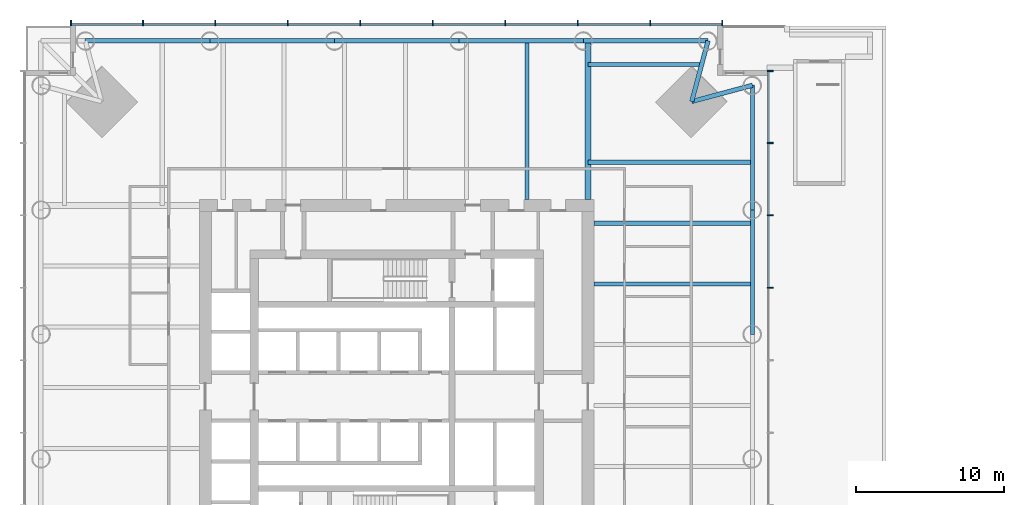
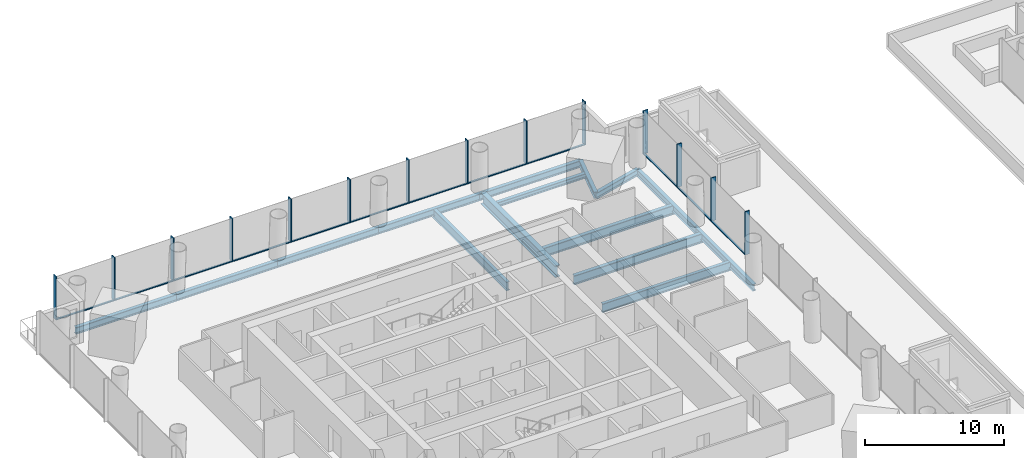
# One storey, part 4 of 19: 26 members, 15 beams, 2 elements without a shape of their own.
"""IFC4 building model written with IfcOpenShell, lengths in metres."""

from ifc_helpers import new_model, si_unit, direction, frame, origin, origin_2d, place, context, subcontext, project, spatial, rectangle, i_section, extrude, material, material_profile, profile_set, type_object, element, aggregate, save


model = new_model("IFC4")

# Units and contexts
model_context = context("Model", 3, precision=1e-05, world=origin(), true_north=direction((0.0, 1.0)))
body_context = subcontext(model_context, "Body", "Model", "MODEL_VIEW")
ifc_project = project(units=[si_unit("LENGTHUNIT", "METRE"), si_unit("AREAUNIT", "SQUARE_METRE"), si_unit("VOLUMEUNIT", "CUBIC_METRE"), si_unit("PLANEANGLEUNIT", "RADIAN"), si_unit("MASSUNIT", "GRAM", prefix="KILO")], contexts=[model_context])

# Site, building, storey
site_placement = place(None, origin())
site = spatial("IfcSite", under=ifc_project, at=site_placement, CompositionType="ELEMENT")
building_placement = place(site_placement, origin())
building = spatial("IfcBuilding", under=site, at=building_placement, Name="Ostroluk Exchange", CompositionType="ELEMENT")
storey_placement = place(building_placement, frame((0.0, 0.0, 21.0)))
storey = spatial("IfcBuildingStorey", under=building, at=storey_placement, Name="L04", CompositionType="ELEMENT", Elevation=21.0)

# Beams
ifc_material_1 = material(Name="Steel S355", Category="steel")
ifc_material_profile_1 = material_profile(ifc_material_1, i_section(OverallWidth=0.300048828125, OverallDepth=0.550048828125, WebThickness=0.014892578125, FlangeThickness=0.029052734375, FilletRadius=0.027099609375, at=origin_2d()), Name="HEB 550")
ifc_profile_set_1 = profile_set([ifc_material_profile_1], Name="Steel S355")
beam_type_1 = type_object("IfcBeamType", Name="Corner edge beam HEB 550", PredefinedType="SPANDREL", material=ifc_profile_set_1)
for number, where, z_axis, x_axis, name in (
    (1, (64.89990234375, 65.89990234375, -0.574951171875), (0.965838624319, 0.259144268261, 0.0), (-0.259144268261, 0.965838624319, 0.0), "T1 east corner edge beam a"),
    (2, (64.89990234375, 65.89990234375, -0.574951171875), (0.259144268261, 0.965838624319, 0.0), (-0.965838624319, 0.259144268261, 0.0), "T1 east corner edge beam b"),
):
    element("IfcBeam", number, at=place(storey_placement, frame(where, z_axis=z_axis, x_axis=x_axis)), inside=storey, type_object=beam_type_1, Name=name, PredefinedType="SPANDREL", context=body_context, shape_type="SweptSolid", body=[
        extrude(i_section(OverallWidth=0.300048828125, OverallDepth=0.550048828125, WebThickness=0.014892578125, FlangeThickness=0.029052734375, FilletRadius=0.027099609375, at=origin_2d()), origin(), (0.0, 0.0, 1.0), 4.2451171875),
    ])
ifc_material_2 = material(Name="Steel S355", Category="steel")
ifc_material_profile_2 = material_profile(ifc_material_2, i_section(OverallWidth=0.300048828125, OverallDepth=0.39990234375, WebThickness=0.013427734375, FlangeThickness=0.02392578125, FilletRadius=0.027099609375, at=origin_2d()), Name="HEB 400")
ifc_profile_set_2 = profile_set([ifc_material_profile_2], Name="Steel S355")
beam_type_2 = type_object("IfcBeamType", Name="Floor beam HEB 400", PredefinedType="BEAM", material=ifc_profile_set_2)
beam_1_placement = place(storey_placement, frame((57.89990234375, 68.39990234375, -0.5), z_axis=(1.0, 0.0, 0.0), x_axis=(0.0, 1.0, 0.0)))
element("IfcBeam", 3, at=beam_1_placement, inside=storey, type_object=beam_type_2, Name="T1 east floor beam 8", PredefinedType="BEAM", context=body_context, shape_type="SweptSolid", body=[
    extrude(i_section(OverallWidth=0.300048828125, OverallDepth=0.39990234375, WebThickness=0.013427734375, FlangeThickness=0.02392578125, FilletRadius=0.027099609375, at=origin_2d()), origin(), (0.0, 0.0, 1.0), 7.6708984375),
])
ifc_material_3 = material(Name="Steel S355", Category="steel")
ifc_material_profile_3 = material_profile(ifc_material_3, i_section(OverallWidth=0.302978515625, OverallDepth=0.81396484375, WebThickness=0.02099609375, FlangeThickness=0.0400390625, FilletRadius=0.030029296875, at=origin_2d()), Name="HEM 800")
ifc_profile_set_3 = profile_set([ifc_material_profile_3], Name="Steel S355")
beam_type_3 = type_object("IfcBeamType", Name="Floor beam HEM 800", PredefinedType="BEAM", material=ifc_profile_set_3)
beam_2_placement = place(storey_placement, frame((58.300048828125, 57.699951171875, -0.70703125), z_axis=(1.0, 0.0, 0.0), x_axis=(0.0, 1.0, 0.0)))
element("IfcBeam", 4, at=beam_2_placement, inside=storey, type_object=beam_type_3, Name="T1 east floor beam 6", PredefinedType="BEAM", context=body_context, shape_type="SweptSolid", body=[
    extrude(i_section(OverallWidth=0.302978515625, OverallDepth=0.81396484375, WebThickness=0.02099609375, FlangeThickness=0.0400390625, FilletRadius=0.030029296875, at=origin_2d()), origin(), (0.0, 0.0, 1.0), 10.699951171875),
])
beam_3_placement = place(storey_placement, frame((57.89990234375, 61.800048828125, -0.70703125), z_axis=(1.0, 0.0, 0.0), x_axis=(0.0, 1.0, 0.0)))
element("IfcBeam", 5, at=beam_3_placement, inside=storey, type_object=beam_type_3, Name="T1 east floor beam 7", PredefinedType="BEAM", context=body_context, shape_type="SweptSolid", body=[
    extrude(i_section(OverallWidth=0.302978515625, OverallDepth=0.81396484375, WebThickness=0.02099609375, FlangeThickness=0.0400390625, FilletRadius=0.030029296875, at=origin_2d()), origin(), (0.0, 0.0, 1.0), 11.10009765625),
])
ifc_material_4 = material(Name="Steel S355", Category="steel")
ifc_material_profile_4 = material_profile(ifc_material_4, i_section(OverallWidth=0.26806640625, OverallDepth=0.77001953125, WebThickness=0.015625, FlangeThickness=0.025390625, FilletRadius=0.01708984375, at=origin_2d()), Name="IPE 750x196")
ifc_profile_set_4 = profile_set([ifc_material_profile_4], Name="Steel S355")
beam_type_4 = type_object("IfcBeamType", Name="Floor beam IPE 750x196", PredefinedType="BEAM", material=ifc_profile_set_4)
for number, where, z_axis, x_axis, name in (
    (6, (58.300048828125, 53.60009765625, -0.68505859375), (1.0, 0.0, 0.0), (0.0, 1.0, 0.0), "T1 east floor beam 5"),
    (7, (53.800048828125, 59.300048828125, -0.68505859375), (0.0, 1.0, 0.0), (-1.0, 0.0, 0.0), "T1 north floor beam 1"),
):
    element("IfcBeam", number, at=place(storey_placement, frame(where, z_axis=z_axis, x_axis=x_axis)), inside=storey, type_object=beam_type_4, Name=name, PredefinedType="BEAM", context=body_context, shape_type="SweptSolid", body=[
        extrude(i_section(OverallWidth=0.26806640625, OverallDepth=0.77001953125, WebThickness=0.015625, FlangeThickness=0.025390625, FilletRadius=0.01708984375, at=origin_2d()), origin(), (0.0, 0.0, 1.0), 10.699951171875),
    ])
ifc_material_5 = material(Name="Steel S355", Category="steel")
ifc_material_profile_5 = material_profile(ifc_material_5, i_section(OverallWidth=0.402099609375, OverallDepth=1.011962890625, WebThickness=0.035888671875, FlangeThickness=0.055908203125, FilletRadius=0.030029296875, at=origin_2d()), Name="HL 1000x443")
ifc_profile_set_5 = profile_set([ifc_material_profile_5], Name="Steel S355")
beam_type_5 = type_object("IfcBeamType", Name="Girder HL 1000x443", PredefinedType="BEAM", material=ifc_profile_set_5)
beam_4_placement = place(storey_placement, frame((57.89990234375, 59.300048828125, -0.805908203125), z_axis=(0.0, 1.0, 0.0), x_axis=(-1.0, 0.0, 0.0)))
element("IfcBeam", 8, at=beam_4_placement, inside=storey, type_object=beam_type_5, Name="T1 east girder", PredefinedType="BEAM", context=body_context, shape_type="SweptSolid", body=[
    extrude(i_section(OverallWidth=0.402099609375, OverallDepth=1.011962890625, WebThickness=0.035888671875, FlangeThickness=0.055908203125, FilletRadius=0.030029296875, at=origin_2d()), origin(), (0.0, 0.0, 1.0), 10.699951171875),
])
ifc_material_6 = material(Name="Steel S355", Category="steel")
ifc_material_profile_6 = material_profile(ifc_material_6, i_section(OverallWidth=0.300048828125, OverallDepth=0.60009765625, WebThickness=0.015380859375, FlangeThickness=0.030029296875, FilletRadius=0.027099609375, at=origin_2d()), Name="HEB 600")
ifc_profile_set_6 = profile_set([ifc_material_profile_6], Name="Steel S355")
beam_type_6 = type_object("IfcBeamType", Name="Moment-connected edge beam HEB 600", PredefinedType="SPANDREL", material=ifc_profile_set_6)
beam_5_placement = place(storey_placement, frame((69.0, 50.199951171875, -0.60009765625), z_axis=(0.0, 1.0, 0.0), x_axis=(-1.0, 0.0, 0.0)))
element("IfcBeam", 9, at=beam_5_placement, inside=storey, type_object=beam_type_6, Name="T1 east edge beam 4", PredefinedType="SPANDREL", context=body_context, shape_type="SweptSolid", body=[
    extrude(i_section(OverallWidth=0.300048828125, OverallDepth=0.60009765625, WebThickness=0.015380859375, FlangeThickness=0.030029296875, FilletRadius=0.027099609375, at=origin_2d()), origin(), (0.0, 0.0, 1.0), 8.400146484375),
])
for number, where, z_axis, x_axis, name in (
    (10, (69.0, 58.60009765625, -0.60009765625), (0.0, 1.0, 0.0), (-1.0, 0.0, 0.0), "T1 east edge beam 5"),
    (11, (66.0, 70.0, -0.60009765625), (-1.0, 0.0, 0.0), (0.0, -1.0, 0.0), "T1 north edge beam 1"),
):
    element("IfcBeam", number, at=place(storey_placement, frame(where, z_axis=z_axis, x_axis=x_axis)), inside=storey, type_object=beam_type_6, Name=name, PredefinedType="SPANDREL", context=body_context, shape_type="SweptSolid", body=[
        extrude(i_section(OverallWidth=0.300048828125, OverallDepth=0.60009765625, WebThickness=0.015380859375, FlangeThickness=0.030029296875, FilletRadius=0.027099609375, at=origin_2d()), origin(), (0.0, 0.0, 1.0), 8.39990234375),
    ])
beam_6_placement = place(storey_placement, frame((57.60009765625, 70.0, -0.60009765625), z_axis=(-1.0, 0.0, 0.0), x_axis=(0.0, -1.0, 0.0)))
element("IfcBeam", 12, at=beam_6_placement, inside=storey, type_object=beam_type_6, Name="T1 north edge beam 2", PredefinedType="SPANDREL", context=body_context, shape_type="SweptSolid", body=[
    extrude(i_section(OverallWidth=0.300048828125, OverallDepth=0.60009765625, WebThickness=0.015380859375, FlangeThickness=0.030029296875, FilletRadius=0.027099609375, at=origin_2d()), origin(), (0.0, 0.0, 1.0), 8.400146484375),
])
beam_7_placement = place(storey_placement, frame((49.199951171875, 70.0, -0.60009765625), z_axis=(-1.0, 0.0, 0.0), x_axis=(0.0, -1.0, 0.0)))
element("IfcBeam", 13, at=beam_7_placement, inside=storey, type_object=beam_type_6, Name="T1 north edge beam 3", PredefinedType="SPANDREL", context=body_context, shape_type="SweptSolid", body=[
    extrude(i_section(OverallWidth=0.300048828125, OverallDepth=0.60009765625, WebThickness=0.015380859375, FlangeThickness=0.030029296875, FilletRadius=0.027099609375, at=origin_2d()), origin(), (0.0, 0.0, 1.0), 8.39990234375),
])
beam_8_placement = place(storey_placement, frame((40.800048828125, 70.0, -0.60009765625), z_axis=(-1.0, 0.0, 0.0), x_axis=(0.0, -1.0, 0.0)))
element("IfcBeam", 14, at=beam_8_placement, inside=storey, type_object=beam_type_6, Name="T1 north edge beam 4", PredefinedType="SPANDREL", context=body_context, shape_type="SweptSolid", body=[
    extrude(i_section(OverallWidth=0.300048828125, OverallDepth=0.60009765625, WebThickness=0.015380859375, FlangeThickness=0.030029296875, FilletRadius=0.027099609375, at=origin_2d()), origin(), (0.0, 0.0, 1.0), 8.400146484375),
])
beam_9_placement = place(storey_placement, frame((32.39990234375, 70.0, -0.60009765625), z_axis=(-1.0, 0.0, 0.0), x_axis=(0.0, -1.0, 0.0)))
element("IfcBeam", 15, at=beam_9_placement, inside=storey, type_object=beam_type_6, Name="T1 north edge beam 5", PredefinedType="SPANDREL", context=body_context, shape_type="SweptSolid", body=[
    extrude(i_section(OverallWidth=0.300048828125, OverallDepth=0.60009765625, WebThickness=0.015380859375, FlangeThickness=0.030029296875, FilletRadius=0.027099609375, at=origin_2d()), origin(), (0.0, 0.0, 1.0), 8.39990234375),
])

# Curtain wall, members
ifc_material_7 = material(Name="Laminated clear glass", Category="glass")
curtain_wall_type = type_object("IfcCurtainWallType", Name="Office tower facade", PredefinedType="USERDEFINED", material=ifc_material_7)
curtain_wall_1_placement = place(storey_placement, origin())
curtain_wall_1 = element("IfcCurtainWall", 16, at=curtain_wall_1_placement, inside=storey, type_object=curtain_wall_type, Name="Office tower east facade L04", ObjectType="UNITISED CURTAIN WALL", PredefinedType="USERDEFINED")
ifc_material_8 = material(Name="Aluminium mullion", Category="aluminium")
ifc_material_profile_7 = material_profile(ifc_material_8, rectangle(XDim=0.14990234375, YDim=0.080078125, at=origin_2d()), Name="Sill transom 80 x 150")
ifc_profile_set_7 = profile_set([ifc_material_profile_7], Name="Aluminium mullion")
member_type_1 = type_object("IfcMemberType", Name="Sill transom 80 x 150", PredefinedType="USERDEFINED", material=ifc_profile_set_7)
member_1_placement = place(storey_placement, frame((70.074951171875, 53.373291015625, 0.0400390625), z_axis=(0.0, 1.0, 0.0), x_axis=(-1.0, 0.0, 0.0)))
member_1 = element("IfcMember", 17, at=member_1_placement, type_object=member_type_1, Name="CW-O1 transom 7.1", ObjectType="TRANSOM", PredefinedType="USERDEFINED", context=body_context, shape_type="SweptSolid", body=[
    extrude(rectangle(XDim=0.14990234375, YDim=0.080078125, at=origin_2d()), origin(), (0.0, 0.0, 1.0), 4.808837890625),
])
member_2_placement = place(storey_placement, frame((70.074951171875, 58.26220703125, 0.0400390625), z_axis=(0.0, 1.0, 0.0), x_axis=(-1.0, 0.0, 0.0)))
member_2 = element("IfcMember", 18, at=member_2_placement, type_object=member_type_1, Name="CW-O1 transom 8.1", ObjectType="TRANSOM", PredefinedType="USERDEFINED", context=body_context, shape_type="SweptSolid", body=[
    extrude(rectangle(XDim=0.14990234375, YDim=0.080078125, at=origin_2d()), origin(), (0.0, 0.0, 1.0), 4.808837890625),
])
member_3_placement = place(storey_placement, frame((70.074951171875, 63.151123046875, 0.0400390625), z_axis=(0.0, 1.0, 0.0), x_axis=(-1.0, 0.0, 0.0)))
member_3 = element("IfcMember", 19, at=member_3_placement, type_object=member_type_1, Name="CW-O1 transom 9.1", ObjectType="TRANSOM", PredefinedType="USERDEFINED", context=body_context, shape_type="SweptSolid", body=[
    extrude(rectangle(XDim=0.14990234375, YDim=0.080078125, at=origin_2d()), origin(), (0.0, 0.0, 1.0), 4.768798828125),
])

curtain_wall_2_placement = place(storey_placement, origin())
curtain_wall_2 = element("IfcCurtainWall", 20, at=curtain_wall_2_placement, inside=storey, type_object=curtain_wall_type, Name="Office tower north facade L04", ObjectType="UNITISED CURTAIN WALL", PredefinedType="USERDEFINED")
member_4_placement = place(storey_placement, frame((66.919921875, 71.074951171875, 0.0400390625), z_axis=(-1.0, 0.0, 0.0), x_axis=(0.0, -1.0, 0.0)))
member_4 = element("IfcMember", 21, at=member_4_placement, type_object=member_type_1, Name="CW-O1 transom 1.1", ObjectType="TRANSOM", PredefinedType="USERDEFINED", context=body_context, shape_type="SweptSolid", body=[
    extrude(rectangle(XDim=0.14990234375, YDim=0.080078125, at=origin_2d()), origin(), (0.0, 0.0, 1.0), 4.768798828125),
])
member_5_placement = place(storey_placement, frame((62.071044921875, 71.074951171875, 0.0400390625), z_axis=(-1.0, 0.0, 0.0), x_axis=(0.0, -1.0, 0.0)))
member_5 = element("IfcMember", 22, at=member_5_placement, type_object=member_type_1, Name="CW-O1 transom 2.1", ObjectType="TRANSOM", PredefinedType="USERDEFINED", context=body_context, shape_type="SweptSolid", body=[
    extrude(rectangle(XDim=0.14990234375, YDim=0.080078125, at=origin_2d()), origin(), (0.0, 0.0, 1.0), 4.808837890625),
])
member_6_placement = place(storey_placement, frame((57.18212890625, 71.074951171875, 0.0400390625), z_axis=(-1.0, 0.0, 0.0), x_axis=(0.0, -1.0, 0.0)))
member_6 = element("IfcMember", 23, at=member_6_placement, type_object=member_type_1, Name="CW-O1 transom 3.1", ObjectType="TRANSOM", PredefinedType="USERDEFINED", context=body_context, shape_type="SweptSolid", body=[
    extrude(rectangle(XDim=0.14990234375, YDim=0.080078125, at=origin_2d()), origin(), (0.0, 0.0, 1.0), 4.808837890625),
])
member_7_placement = place(storey_placement, frame((52.293212890625, 71.074951171875, 0.0400390625), z_axis=(-1.0, 0.0, 0.0), x_axis=(0.0, -1.0, 0.0)))
member_7 = element("IfcMember", 24, at=member_7_placement, type_object=member_type_1, Name="CW-O1 transom 4.1", ObjectType="TRANSOM", PredefinedType="USERDEFINED", context=body_context, shape_type="SweptSolid", body=[
    extrude(rectangle(XDim=0.14990234375, YDim=0.080078125, at=origin_2d()), origin(), (0.0, 0.0, 1.0), 4.808837890625),
])
member_8_placement = place(storey_placement, frame((47.404541015625, 71.074951171875, 0.0400390625), z_axis=(-1.0, 0.0, 0.0), x_axis=(0.0, -1.0, 0.0)))
member_8 = element("IfcMember", 25, at=member_8_placement, type_object=member_type_1, Name="CW-O1 transom 5.1", ObjectType="TRANSOM", PredefinedType="USERDEFINED", context=body_context, shape_type="SweptSolid", body=[
    extrude(rectangle(XDim=0.14990234375, YDim=0.080078125, at=origin_2d()), origin(), (0.0, 0.0, 1.0), 4.80908203125),
])
member_9_placement = place(storey_placement, frame((42.515625, 71.074951171875, 0.0400390625), z_axis=(-1.0, 0.0, 0.0), x_axis=(0.0, -1.0, 0.0)))
member_9 = element("IfcMember", 26, at=member_9_placement, type_object=member_type_1, Name="CW-O1 transom 6.1", ObjectType="TRANSOM", PredefinedType="USERDEFINED", context=body_context, shape_type="SweptSolid", body=[
    extrude(rectangle(XDim=0.14990234375, YDim=0.080078125, at=origin_2d()), origin(), (0.0, 0.0, 1.0), 4.808837890625),
])
member_10_placement = place(storey_placement, frame((37.626708984375, 71.074951171875, 0.0400390625), z_axis=(-1.0, 0.0, 0.0), x_axis=(0.0, -1.0, 0.0)))
member_10 = element("IfcMember", 27, at=member_10_placement, type_object=member_type_1, Name="CW-O1 transom 7.1", ObjectType="TRANSOM", PredefinedType="USERDEFINED", context=body_context, shape_type="SweptSolid", body=[
    extrude(rectangle(XDim=0.14990234375, YDim=0.080078125, at=origin_2d()), origin(), (0.0, 0.0, 1.0), 4.808837890625),
])
member_11_placement = place(storey_placement, frame((32.73779296875, 71.074951171875, 0.0400390625), z_axis=(-1.0, 0.0, 0.0), x_axis=(0.0, -1.0, 0.0)))
member_11 = element("IfcMember", 28, at=member_11_placement, type_object=member_type_1, Name="CW-O1 transom 8.1", ObjectType="TRANSOM", PredefinedType="USERDEFINED", context=body_context, shape_type="SweptSolid", body=[
    extrude(rectangle(XDim=0.14990234375, YDim=0.080078125, at=origin_2d()), origin(), (0.0, 0.0, 1.0), 4.808837890625),
])
member_12_placement = place(storey_placement, frame((27.848876953125, 71.074951171875, 0.0400390625), z_axis=(-1.0, 0.0, 0.0), x_axis=(0.0, -1.0, 0.0)))
member_12 = element("IfcMember", 29, at=member_12_placement, type_object=member_type_1, Name="CW-O1 transom 9.1", ObjectType="TRANSOM", PredefinedType="USERDEFINED", context=body_context, shape_type="SweptSolid", body=[
    extrude(rectangle(XDim=0.14990234375, YDim=0.080078125, at=origin_2d()), origin(), (0.0, 0.0, 1.0), 4.768798828125),
])

# Member
ifc_material_9 = material(Name="Aluminium mullion with limestone facing", Category="masonry")
ifc_material_profile_8 = material_profile(ifc_material_9, rectangle(XDim=0.39990234375, YDim=0.080078125, at=origin_2d()), Name="Tracery mullion 80 x 400")
ifc_profile_set_8 = profile_set([ifc_material_profile_8], Name="Aluminium mullion with limestone facing")
member_type_2 = type_object("IfcMemberType", Name="Tracery mullion 80 x 400", PredefinedType="MULLION", material=ifc_profile_set_8)
member_13_placement = place(storey_placement, frame((70.199951171875, 53.333251953125, 0.0), z_axis=(0.0, 0.0, 1.0), x_axis=(-1.0, 0.0, 0.0)))
member_13 = element("IfcMember", 30, at=member_13_placement, type_object=member_type_2, Name="CW-O1 mullion 7", PredefinedType="MULLION", context=body_context, shape_type="SweptSolid", body=[
    extrude(rectangle(XDim=0.39990234375, YDim=0.080078125, at=origin_2d()), origin(), (0.0, 0.0, 1.0), 3.800048828125),
])

member_14_placement = place(storey_placement, frame((70.199951171875, 58.22216796875, 0.0), z_axis=(0.0, 0.0, 1.0), x_axis=(-1.0, 0.0, 0.0)))
member_14 = element("IfcMember", 31, at=member_14_placement, type_object=member_type_2, Name="CW-O1 mullion 8", PredefinedType="MULLION", context=body_context, shape_type="SweptSolid", body=[
    extrude(rectangle(XDim=0.39990234375, YDim=0.080078125, at=origin_2d()), origin(), (0.0, 0.0, 1.0), 3.800048828125),
])

member_15_placement = place(storey_placement, frame((70.199951171875, 63.111083984375, 0.0), z_axis=(0.0, 0.0, 1.0), x_axis=(-1.0, 0.0, 0.0)))
member_15 = element("IfcMember", 32, at=member_15_placement, type_object=member_type_2, Name="CW-O1 mullion 9", PredefinedType="MULLION", context=body_context, shape_type="SweptSolid", body=[
    extrude(rectangle(XDim=0.39990234375, YDim=0.080078125, at=origin_2d()), origin(), (0.0, 0.0, 1.0), 3.800048828125),
])

member_16_placement = place(storey_placement, frame((70.199951171875, 67.9599609375, 0.0), z_axis=(0.0, 0.0, 1.0), x_axis=(-1.0, 0.0, 0.0)))
member_16 = element("IfcMember", 33, at=member_16_placement, type_object=member_type_2, Name="CW-O1 mullion 10", PredefinedType="MULLION", context=body_context, shape_type="SweptSolid", body=[
    extrude(rectangle(XDim=0.39990234375, YDim=0.080078125, at=origin_2d()), origin(), (0.0, 0.0, 1.0), 3.800048828125),
])

aggregate(curtain_wall_1, [member_13, member_14, member_15, member_16, member_1, member_2, member_3])

member_17_placement = place(storey_placement, frame((66.9599609375, 71.199951171875, 0.0), z_axis=(0.0, 0.0, 1.0), x_axis=(0.0, -1.0, 0.0)))
member_17 = element("IfcMember", 34, at=member_17_placement, type_object=member_type_2, Name="CW-O1 mullion 1", PredefinedType="MULLION", context=body_context, shape_type="SweptSolid", body=[
    extrude(rectangle(XDim=0.39990234375, YDim=0.080078125, at=origin_2d()), origin(), (0.0, 0.0, 1.0), 3.800048828125),
])

member_18_placement = place(storey_placement, frame((62.111083984375, 71.199951171875, 0.0), z_axis=(0.0, 0.0, 1.0), x_axis=(0.0, -1.0, 0.0)))
member_18 = element("IfcMember", 35, at=member_18_placement, type_object=member_type_2, Name="CW-O1 mullion 2", PredefinedType="MULLION", context=body_context, shape_type="SweptSolid", body=[
    extrude(rectangle(XDim=0.39990234375, YDim=0.080078125, at=origin_2d()), origin(), (0.0, 0.0, 1.0), 3.800048828125),
])

member_19_placement = place(storey_placement, frame((57.22216796875, 71.199951171875, 0.0), z_axis=(0.0, 0.0, 1.0), x_axis=(0.0, -1.0, 0.0)))
member_19 = element("IfcMember", 36, at=member_19_placement, type_object=member_type_2, Name="CW-O1 mullion 3", PredefinedType="MULLION", context=body_context, shape_type="SweptSolid", body=[
    extrude(rectangle(XDim=0.39990234375, YDim=0.080078125, at=origin_2d()), origin(), (0.0, 0.0, 1.0), 3.800048828125),
])

member_20_placement = place(storey_placement, frame((52.333251953125, 71.199951171875, 0.0), z_axis=(0.0, 0.0, 1.0), x_axis=(0.0, -1.0, 0.0)))
member_20 = element("IfcMember", 37, at=member_20_placement, type_object=member_type_2, Name="CW-O1 mullion 4", PredefinedType="MULLION", context=body_context, shape_type="SweptSolid", body=[
    extrude(rectangle(XDim=0.39990234375, YDim=0.080078125, at=origin_2d()), origin(), (0.0, 0.0, 1.0), 3.800048828125),
])

member_21_placement = place(storey_placement, frame((47.4443359375, 71.199951171875, 0.0), z_axis=(0.0, 0.0, 1.0), x_axis=(0.0, -1.0, 0.0)))
member_21 = element("IfcMember", 38, at=member_21_placement, type_object=member_type_2, Name="CW-O1 mullion 5", PredefinedType="MULLION", context=body_context, shape_type="SweptSolid", body=[
    extrude(rectangle(XDim=0.39990234375, YDim=0.080078125, at=origin_2d()), origin(), (0.0, 0.0, 1.0), 3.800048828125),
])

member_22_placement = place(storey_placement, frame((42.5556640625, 71.199951171875, 0.0), z_axis=(0.0, 0.0, 1.0), x_axis=(0.0, -1.0, 0.0)))
member_22 = element("IfcMember", 39, at=member_22_placement, type_object=member_type_2, Name="CW-O1 mullion 6", PredefinedType="MULLION", context=body_context, shape_type="SweptSolid", body=[
    extrude(rectangle(XDim=0.39990234375, YDim=0.080078125, at=origin_2d()), origin(), (0.0, 0.0, 1.0), 3.800048828125),
])

member_23_placement = place(storey_placement, frame((37.666748046875, 71.199951171875, 0.0), z_axis=(0.0, 0.0, 1.0), x_axis=(0.0, -1.0, 0.0)))
member_23 = element("IfcMember", 40, at=member_23_placement, type_object=member_type_2, Name="CW-O1 mullion 7", PredefinedType="MULLION", context=body_context, shape_type="SweptSolid", body=[
    extrude(rectangle(XDim=0.39990234375, YDim=0.080078125, at=origin_2d()), origin(), (0.0, 0.0, 1.0), 3.800048828125),
])

member_24_placement = place(storey_placement, frame((32.77783203125, 71.199951171875, 0.0), z_axis=(0.0, 0.0, 1.0), x_axis=(0.0, -1.0, 0.0)))
member_24 = element("IfcMember", 41, at=member_24_placement, type_object=member_type_2, Name="CW-O1 mullion 8", PredefinedType="MULLION", context=body_context, shape_type="SweptSolid", body=[
    extrude(rectangle(XDim=0.39990234375, YDim=0.080078125, at=origin_2d()), origin(), (0.0, 0.0, 1.0), 3.800048828125),
])

member_25_placement = place(storey_placement, frame((27.888916015625, 71.199951171875, 0.0), z_axis=(0.0, 0.0, 1.0), x_axis=(0.0, -1.0, 0.0)))
member_25 = element("IfcMember", 42, at=member_25_placement, type_object=member_type_2, Name="CW-O1 mullion 9", PredefinedType="MULLION", context=body_context, shape_type="SweptSolid", body=[
    extrude(rectangle(XDim=0.39990234375, YDim=0.080078125, at=origin_2d()), origin(), (0.0, 0.0, 1.0), 3.800048828125),
])

member_26_placement = place(storey_placement, frame((23.0400390625, 71.199951171875, 0.0), z_axis=(0.0, 0.0, 1.0), x_axis=(0.0, -1.0, 0.0)))
member_26 = element("IfcMember", 43, at=member_26_placement, type_object=member_type_2, Name="CW-O1 mullion 10", PredefinedType="MULLION", context=body_context, shape_type="SweptSolid", body=[
    extrude(rectangle(XDim=0.39990234375, YDim=0.080078125, at=origin_2d()), origin(), (0.0, 0.0, 1.0), 3.800048828125),
])

aggregate(curtain_wall_2, [member_17, member_18, member_19, member_20, member_21, member_22, member_23, member_24, member_25, member_26, member_4, member_5, member_6, member_7, member_8, member_9, member_10, member_11, member_12])

save(model, "model.ifc")
